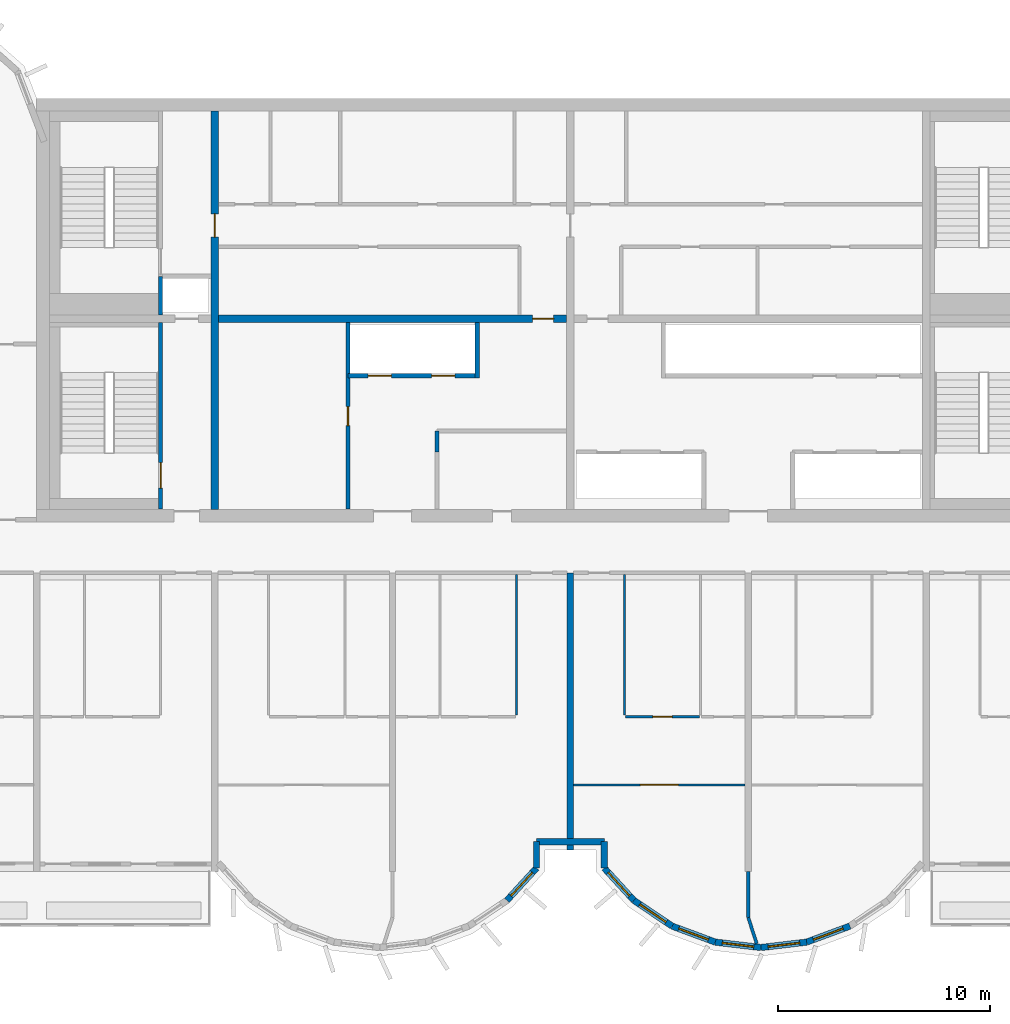
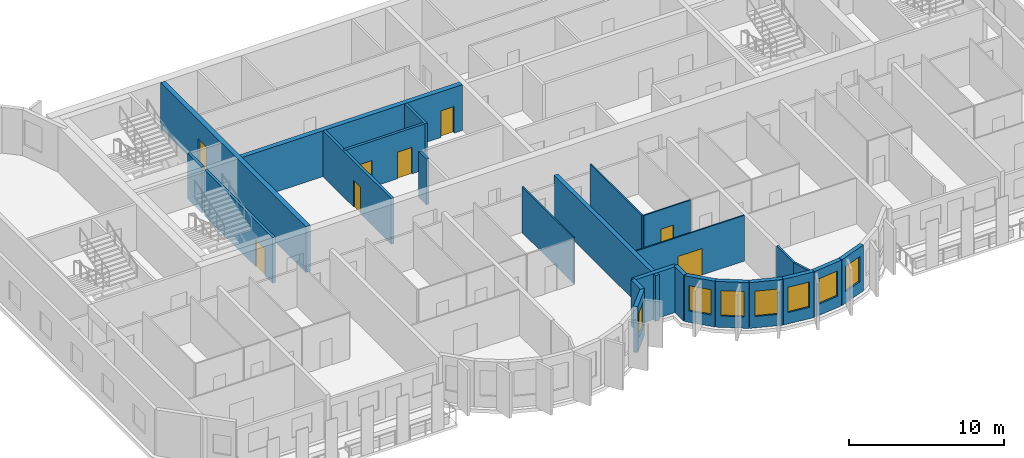
# One storey, part 4 of 12: 25 walls, 8 doors, 7 windows, 15 openings.
"""IFC4 building model written with IfcOpenShell, lengths in metres."""

from ifc_helpers import new_model, si_unit, direction, frame, frame_2d, origin, place, context, subcontext, project, spatial, rectangle, extrude, source, transform, mapped, material, layer, layer_set, type_object, element, fill, save


model = new_model("IFC4")

# Units and contexts
model_context = context("Model", 3, precision=1e-05, world=origin(), true_north=direction((0.0, 1.0)))
body_context = subcontext(model_context, "Body", "Model", "MODEL_VIEW")
ifc_project = project(units=[si_unit("LENGTHUNIT", "METRE"), si_unit("AREAUNIT", "SQUARE_METRE"), si_unit("VOLUMEUNIT", "CUBIC_METRE"), si_unit("PLANEANGLEUNIT", "RADIAN"), si_unit("MASSUNIT", "GRAM", prefix="KILO")], contexts=[model_context])

# Site, building, storey
site_placement = place(None, origin())
site = spatial("IfcSite", under=ifc_project, at=site_placement, CompositionType="ELEMENT")
building_placement = place(site_placement, origin())
building = spatial("IfcBuilding", under=site, at=building_placement, Name="Vanashikhar Sky Hotel", CompositionType="ELEMENT")
storey_placement = place(building_placement, frame((0.0, 0.0, 253.0)))
storey = spatial("IfcBuildingStorey", under=building, at=storey_placement, Name="L61", CompositionType="ELEMENT", Elevation=253.0)

# Wall, opening, door
ifc_material_1 = material(Name="Concrete M60", Category="concrete")
ifc_layer_1 = layer(ifc_material_1, 0.35009765625)
ifc_layer_set_1 = layer_set([ifc_layer_1], Name="RC core inner wall 350 Concrete M60")
wall_type_1 = type_object("IfcWallType", Name="RC core inner wall 350 Concrete M60", PredefinedType="SHEAR", material=ifc_layer_set_1)
shared_shape_1 = source(origin(), body_context, "Body", "SweptSolid", [
    extrude(rectangle(XDim=18.7998046875, YDim=0.35009765625, at=frame_2d((9.39990234375, 0.0))), origin(), (0.0, 0.0, 1.0), 3.6201171875),
])
wall_1_placement = place(storey_placement, frame((33.60009765625, 22.60009765625, 0.0), z_axis=(0.0, 0.0, 1.0), x_axis=(0.0, 1.0, 0.0)))
wall_1 = element("IfcWall", 1, at=wall_1_placement, inside=storey, type_object=wall_type_1, Name="KW-L61-KX1", PredefinedType="SHEAR", context=body_context, shape_type="MappedRepresentation", body=[
    mapped(shared_shape_1, transform((0.0, 0.0, 0.0), scale=1.0)),
])
shared_shape_2 = source(origin(), body_context, "Body", "SweptSolid", [
    extrude(rectangle(XDim=1.10009765625, YDim=2.10009765625, at=frame_2d((0.550048828125, 1.050048828125))), frame((0.0, 0.18505859375, 0.0), z_axis=(0.0, -1.0, 0.0), x_axis=(1.0, 0.0, 0.0)), (0.0, 0.0, 1.0), 0.3701171875),
])
opening_1_placement = place(wall_1_placement, frame((12.85009765625, 0.0, 0.0)))
opening_1 = element("IfcOpeningElement", 2, at=opening_1_placement, cuts=wall_1, Name="Opening DC-4-C", PredefinedType="OPENING", context=body_context, shape_type="MappedRepresentation", body=[
    mapped(shared_shape_2, transform((0.0, 0.0, 0.0), scale=1.0)),
])
ifc_material_2 = material(Name="Steel", Category="steel")
door_type_1 = type_object("IfcDoorType", Name="Service door 1100 FD60", OperationType="NOTDEFINED", PredefinedType="DOOR", material=ifc_material_2)
shared_shape_3 = source(origin(), body_context, "Body", "SweptSolid", [
    extrude(rectangle(XDim=1.10009765625, YDim=2.10009765625, at=frame_2d((0.550048828125, 1.050048828125))), frame((0.0, 0.02490234375, 0.0), z_axis=(0.0, -1.0, 0.0), x_axis=(1.0, 0.0, 0.0)), (0.0, 0.0, 1.0), 0.050048828125),
])
door_1_placement = place(opening_1_placement, origin())
door_1 = element("IfcDoor", 3, at=door_1_placement, inside=storey, type_object=door_type_1, Name="Service door 1100 FD60", OperationType="SINGLE_SWING_RIGHT", OverallHeight=2.10009765625, OverallWidth=1.10009765625, PredefinedType="DOOR", context=body_context, shape_type="MappedRepresentation", body=[
    mapped(shared_shape_3, transform((0.0, 0.0, 0.0), scale=1.0)),
])
fill(opening_1, door_1)

shared_shape_4 = source(origin(), body_context, "Body", "SweptSolid", [
    extrude(rectangle(XDim=16.4501953125, YDim=0.35009765625, at=frame_2d((8.22509765625, 0.0))), origin(), (0.0, 0.0, 1.0), 3.6201171875),
])
wall_2_placement = place(storey_placement, frame((33.77490234375, 31.60009765625, 0.0), z_axis=(0.0, 0.0, 1.0), x_axis=(1.0, 0.0, 0.0)))
wall_2 = element("IfcWall", 4, at=wall_2_placement, inside=storey, type_object=wall_type_1, Name="KW-L61-KY2", PredefinedType="SHEAR", context=body_context, shape_type="MappedRepresentation", body=[
    mapped(shared_shape_4, transform((0.0, 0.0, 0.0), scale=1.0)),
])
shared_shape_5 = source(origin(), body_context, "Body", "SweptSolid", [
    extrude(rectangle(XDim=1.0, YDim=2.10009765625, at=frame_2d((0.5, 1.050048828125))), frame((0.0, 0.18505859375, 0.0), z_axis=(0.0, -1.0, 0.0), x_axis=(1.0, 0.0, 0.0)), (0.0, 0.0, 1.0), 0.3701171875),
])
opening_2_placement = place(wall_2_placement, frame((14.8369140625, 0.0, 0.0)))
opening_2 = element("IfcOpeningElement", 5, at=opening_2_placement, cuts=wall_2, Name="Opening DC-4", PredefinedType="OPENING", context=body_context, shape_type="MappedRepresentation", body=[
    mapped(shared_shape_5, transform((0.0, 0.0, 0.0), scale=1.0)),
])
door_type_2 = type_object("IfcDoorType", Name="Service door 1000 FD60", OperationType="NOTDEFINED", PredefinedType="DOOR", material=ifc_material_2)
shared_shape_6 = source(origin(), body_context, "Body", "SweptSolid", [
    extrude(rectangle(XDim=1.0, YDim=2.10009765625, at=frame_2d((0.5, 1.050048828125))), frame((0.0, 0.02490234375, 0.0), z_axis=(0.0, -1.0, 0.0), x_axis=(1.0, 0.0, 0.0)), (0.0, 0.0, 1.0), 0.050048828125),
])
door_2_placement = place(opening_2_placement, origin())
door_2 = element("IfcDoor", 6, at=door_2_placement, inside=storey, type_object=door_type_2, Name="Service door 1000 FD60", OperationType="SINGLE_SWING_LEFT", OverallHeight=2.10009765625, OverallWidth=1.0, PredefinedType="DOOR", context=body_context, shape_type="MappedRepresentation", body=[
    mapped(shared_shape_6, transform((0.0, 0.0, 0.0), scale=1.0)),
])
fill(opening_2, door_2)

# Wall
ifc_layer_2 = layer(ifc_material_1, 0.300048828125)
ifc_layer_set_2 = layer_set([ifc_layer_2], Name="RC shear wall 300 Concrete M60")
wall_type_2 = type_object("IfcWallType", Name="RC shear wall 300 Concrete M60", PredefinedType="SHEAR", material=ifc_layer_set_2)
shared_shape_7 = source(origin(), body_context, "Body", "SweptSolid", [
    extrude(rectangle(XDim=13.10009765625, YDim=0.300048828125, at=frame_2d((6.550048828125, 0.0))), origin(), (0.0, 0.0, 1.0), 3.6201171875),
])
wall_3_placement = place(storey_placement, frame((50.39990234375, 6.5, 0.0), z_axis=(0.0, 0.0, 1.0), x_axis=(0.0, 1.0, 0.0)))
element("IfcWall", 7, at=wall_3_placement, inside=storey, type_object=wall_type_2, Name="CW-L61-XW07-1", PredefinedType="SHEAR", context=body_context, shape_type="MappedRepresentation", body=[
    mapped(shared_shape_7, transform((0.0, 0.0, 0.0), scale=1.0)),
])

# Wall, opening, window
ifc_material_3 = material(Name="Concrete M50", Category="concrete")
ifc_layer_3 = layer(ifc_material_3, 0.300048828125)
ifc_layer_set_3 = layer_set([ifc_layer_3], Name="Lobe wall 300")
wall_type_3 = type_object("IfcWallType", Name="Lobe wall 300", PredefinedType="SOLIDWALL", material=ifc_layer_set_3)
shared_shape_8 = source(origin(), body_context, "Body", "SweptSolid", [
    extrude(rectangle(XDim=2.17578125, YDim=0.300048828125, at=frame_2d((1.087890625, 0.0))), origin(), (0.0, 0.0, 1.0), 3.6201171875),
])
wall_4_placement = place(storey_placement, frame((53.395751953125, 4.13134765625, 0.0), z_axis=(0.0, 0.0, 1.0), x_axis=(0.829590746428, -0.558371913192, 0.0)))
wall_4 = element("IfcWall", 8, at=wall_4_placement, inside=storey, type_object=wall_type_3, Name="Lobe wall", PredefinedType="SOLIDWALL", context=body_context, shape_type="MappedRepresentation", body=[
    mapped(shared_shape_8, transform((0.0, 0.0, 0.0), scale=1.0)),
])
shared_shape_9 = source(origin(), body_context, "Body", "SweptSolid", [
    extrude(rectangle(XDim=1.5, YDim=2.0, at=frame_2d((0.75, 1.0))), frame((0.0, 0.16015625, 0.0), z_axis=(0.0, -1.0, 0.0), x_axis=(1.0, 0.0, 0.0)), (0.0, 0.0, 1.0), 0.320068359375),
])
opening_3_placement = place(wall_4_placement, frame((0.337890625, 0.0, 0.89990234375)))
opening_3 = element("IfcOpeningElement", 9, at=opening_3_placement, cuts=wall_4, Name="Opening WN-2", PredefinedType="OPENING", context=body_context, shape_type="MappedRepresentation", body=[
    mapped(shared_shape_9, transform((0.0, 0.0, 0.0), scale=1.0)),
])
ifc_material_4 = material(Name="Glass", Category="glass")
window_type = type_object("IfcWindowType", Name="Lobe window 1500 x 2000", PartitioningType="SINGLE_PANEL", PredefinedType="WINDOW", material=ifc_material_4)
shared_shape_10 = source(origin(), body_context, "Body", "SweptSolid", [
    extrude(rectangle(XDim=1.5, YDim=2.0, at=frame_2d((0.75, 1.0))), frame((0.0, 0.030029296875, 0.0), z_axis=(0.0, -1.0, 0.0), x_axis=(1.0, 0.0, 0.0)), (0.0, 0.0, 1.0), 0.06005859375),
])
window_1_placement = place(opening_3_placement, origin())
window_1 = element("IfcWindow", 10, at=window_1_placement, inside=storey, type_object=window_type, Name="Window WN-2", OverallHeight=2.0, OverallWidth=1.5, PartitioningType="SINGLE_PANEL", PredefinedType="WINDOW", context=body_context, shape_type="MappedRepresentation", body=[
    mapped(shared_shape_10, transform((0.0, 0.0, 0.0), scale=1.0)),
])
fill(opening_3, window_1)

wall_5_placement = place(storey_placement, frame((55.20068359375, 2.91650390625, 0.0), z_axis=(0.0, 0.0, 1.0), x_axis=(0.93754555999, -0.347862505801, 0.0)))
wall_5 = element("IfcWall", 11, at=wall_5_placement, inside=storey, type_object=wall_type_3, Name="Lobe wall", PredefinedType="SOLIDWALL", context=body_context, shape_type="MappedRepresentation", body=[
    mapped(shared_shape_8, transform((0.0, 0.0, 0.0), scale=1.0)),
])
opening_4_placement = place(wall_5_placement, frame((0.337890625, 0.0, 0.89990234375)))
opening_4 = element("IfcOpeningElement", 12, at=opening_4_placement, cuts=wall_5, Name="Opening WN-2", PredefinedType="OPENING", context=body_context, shape_type="MappedRepresentation", body=[
    mapped(shared_shape_9, transform((0.0, 0.0, 0.0), scale=1.0)),
])
window_2_placement = place(opening_4_placement, origin())
window_2 = element("IfcWindow", 13, at=window_2_placement, inside=storey, type_object=window_type, Name="Window WN-2", OverallHeight=2.0, OverallWidth=1.5, PartitioningType="SINGLE_PANEL", PredefinedType="WINDOW", context=body_context, shape_type="MappedRepresentation", body=[
    mapped(shared_shape_10, transform((0.0, 0.0, 0.0), scale=1.0)),
])
fill(opening_4, window_2)

shared_shape_11 = source(origin(), body_context, "Body", "SweptSolid", [
    extrude(rectangle(XDim=2.174560546875, YDim=0.300048828125, at=frame_2d((1.08740234375, 0.0))), origin(), (0.0, 0.0, 1.0), 3.6201171875),
])
wall_6_placement = place(storey_placement, frame((57.240478515625, 2.15966796875, 0.0), z_axis=(0.0, 0.0, 1.0), x_axis=(0.993001132889, -0.118104826659, 0.0)))
wall_6 = element("IfcWall", 14, at=wall_6_placement, inside=storey, type_object=wall_type_3, Name="Lobe wall", PredefinedType="SOLIDWALL", context=body_context, shape_type="MappedRepresentation", body=[
    mapped(shared_shape_11, transform((0.0, 0.0, 0.0), scale=1.0)),
])
opening_5_placement = place(wall_6_placement, frame((0.33740234375, 0.0, 0.89990234375)))
opening_5 = element("IfcOpeningElement", 15, at=opening_5_placement, cuts=wall_6, Name="Opening WN-2", PredefinedType="OPENING", context=body_context, shape_type="MappedRepresentation", body=[
    mapped(shared_shape_9, transform((0.0, 0.0, 0.0), scale=1.0)),
])
window_3_placement = place(opening_5_placement, origin())
window_3 = element("IfcWindow", 16, at=window_3_placement, inside=storey, type_object=window_type, Name="Window WN-2", OverallHeight=2.0, OverallWidth=1.5, PartitioningType="SINGLE_PANEL", PredefinedType="WINDOW", context=body_context, shape_type="MappedRepresentation", body=[
    mapped(shared_shape_10, transform((0.0, 0.0, 0.0), scale=1.0)),
])
fill(opening_5, window_3)

shared_shape_12 = source(origin(), body_context, "Body", "SweptSolid", [
    extrude(rectangle(XDim=2.1748046875, YDim=0.300048828125, at=frame_2d((1.08740234375, 0.0))), origin(), (0.0, 0.0, 1.0), 3.6201171875),
])
wall_7_placement = place(storey_placement, frame((59.39990234375, 1.90283203125, 0.0), z_axis=(0.0, 0.0, 1.0), x_axis=(0.993002698611, 0.118091661648, 0.0)))
wall_7 = element("IfcWall", 17, at=wall_7_placement, inside=storey, type_object=wall_type_3, Name="Lobe wall", PredefinedType="SOLIDWALL", context=body_context, shape_type="MappedRepresentation", body=[
    mapped(shared_shape_12, transform((0.0, 0.0, 0.0), scale=1.0)),
])
opening_6_placement = place(wall_7_placement, frame((0.33740234375, 0.0, 0.89990234375)))
opening_6 = element("IfcOpeningElement", 18, at=opening_6_placement, cuts=wall_7, Name="Opening WN-2", PredefinedType="OPENING", context=body_context, shape_type="MappedRepresentation", body=[
    mapped(shared_shape_9, transform((0.0, 0.0, 0.0), scale=1.0)),
])
window_4_placement = place(opening_6_placement, origin())
window_4 = element("IfcWindow", 19, at=window_4_placement, inside=storey, type_object=window_type, Name="Window WN-2", OverallHeight=2.0, OverallWidth=1.5, PartitioningType="SINGLE_PANEL", PredefinedType="WINDOW", context=body_context, shape_type="MappedRepresentation", body=[
    mapped(shared_shape_10, transform((0.0, 0.0, 0.0), scale=1.0)),
])
fill(opening_6, window_4)

shared_shape_13 = source(origin(), body_context, "Body", "SweptSolid", [
    extrude(rectangle(XDim=2.175537109375, YDim=0.300048828125, at=frame_2d((1.087890625, 0.0))), origin(), (0.0, 0.0, 1.0), 3.6201171875),
])
wall_8_placement = place(storey_placement, frame((61.5595703125, 2.15966796875, 0.0), z_axis=(0.0, 0.0, 1.0), x_axis=(0.937531979054, 0.347899106424, 0.0)))
wall_8 = element("IfcWall", 20, at=wall_8_placement, inside=storey, type_object=wall_type_3, Name="Lobe wall", PredefinedType="SOLIDWALL", context=body_context, shape_type="MappedRepresentation", body=[
    mapped(shared_shape_13, transform((0.0, 0.0, 0.0), scale=1.0)),
])
opening_7_placement = place(wall_8_placement, frame((0.337890625, 0.0, 0.89990234375)))
opening_7 = element("IfcOpeningElement", 21, at=opening_7_placement, cuts=wall_8, Name="Opening WN-2", PredefinedType="OPENING", context=body_context, shape_type="MappedRepresentation", body=[
    mapped(shared_shape_9, transform((0.0, 0.0, 0.0), scale=1.0)),
])
window_5_placement = place(opening_7_placement, origin())
window_5 = element("IfcWindow", 22, at=window_5_placement, inside=storey, type_object=window_type, Name="Window WN-2", OverallHeight=2.0, OverallWidth=1.5, PartitioningType="SINGLE_PANEL", PredefinedType="WINDOW", context=body_context, shape_type="MappedRepresentation", body=[
    mapped(shared_shape_10, transform((0.0, 0.0, 0.0), scale=1.0)),
])
fill(opening_7, window_5)

shared_shape_14 = source(origin(), body_context, "Body", "SweptSolid", [
    extrude(rectangle(XDim=2.066650390625, YDim=0.300048828125, at=frame_2d((1.033203125, 0.0))), origin(), (0.0, 0.0, 1.0), 3.6201171875),
])
wall_9_placement = place(storey_placement, frame((47.404296875, 4.13134765625, 0.0), z_axis=(0.0, 0.0, 1.0), x_axis=(0.675355439877, 0.737492393065, 0.0)))
wall_9 = element("IfcWall", 23, at=wall_9_placement, inside=storey, type_object=wall_type_3, Name="Lobe wall", PredefinedType="SOLIDWALL", context=body_context, shape_type="MappedRepresentation", body=[
    mapped(shared_shape_14, transform((0.0, 0.0, 0.0), scale=1.0)),
])
opening_8_placement = place(wall_9_placement, frame((0.283447265625, 0.0, 0.89990234375)))
opening_8 = element("IfcOpeningElement", 24, at=opening_8_placement, cuts=wall_9, Name="Opening WN-2", PredefinedType="OPENING", context=body_context, shape_type="MappedRepresentation", body=[
    mapped(shared_shape_9, transform((0.0, 0.0, 0.0), scale=1.0)),
])
window_6_placement = place(opening_8_placement, origin())
window_6 = element("IfcWindow", 25, at=window_6_placement, inside=storey, type_object=window_type, Name="Window WN-2", OverallHeight=2.0, OverallWidth=1.5, PartitioningType="SINGLE_PANEL", PredefinedType="WINDOW", context=body_context, shape_type="MappedRepresentation", body=[
    mapped(shared_shape_10, transform((0.0, 0.0, 0.0), scale=1.0)),
])
fill(opening_8, window_6)

wall_10_placement = place(storey_placement, frame((52.0, 5.655517578125, 0.0), z_axis=(0.0, 0.0, 1.0), x_axis=(0.675355439877, -0.737492393065, 0.0)))
wall_10 = element("IfcWall", 26, at=wall_10_placement, inside=storey, type_object=wall_type_3, Name="Lobe wall", PredefinedType="SOLIDWALL", context=body_context, shape_type="MappedRepresentation", body=[
    mapped(shared_shape_14, transform((0.0, 0.0, 0.0), scale=1.0)),
])
opening_9_placement = place(wall_10_placement, frame((0.283447265625, 0.0, 0.89990234375)))
opening_9 = element("IfcOpeningElement", 27, at=opening_9_placement, cuts=wall_10, Name="Opening WN-2", PredefinedType="OPENING", context=body_context, shape_type="MappedRepresentation", body=[
    mapped(shared_shape_9, transform((0.0, 0.0, 0.0), scale=1.0)),
])
window_7_placement = place(opening_9_placement, origin())
window_7 = element("IfcWindow", 28, at=window_7_placement, inside=storey, type_object=window_type, Name="Window WN-2", OverallHeight=2.0, OverallWidth=1.5, PartitioningType="SINGLE_PANEL", PredefinedType="WINDOW", context=body_context, shape_type="MappedRepresentation", body=[
    mapped(shared_shape_10, transform((0.0, 0.0, 0.0), scale=1.0)),
])
fill(opening_9, window_7)

# Walls
shared_shape_15 = source(origin(), body_context, "Body", "SweptSolid", [
    extrude(rectangle(XDim=1.244384765625, YDim=0.300048828125, at=frame_2d((0.6220703125, 0.0))), origin(), (0.0, 0.0, 1.0), 3.6201171875),
])
for number, where, z_axis, x_axis, name in (
    (29, (48.800048828125, 5.655517578125, 0.0), (0.0, 0.0, 1.0), (0.0, 1.0, 0.0), "Groove wall"),
    (30, (52.0, 6.89990234375, 0.0), (0.0, 0.0, 1.0), (0.0, -1.0, 0.0), "Groove wall"),
):
    element("IfcWall", number, at=place(storey_placement, frame(where, z_axis=z_axis, x_axis=x_axis)), inside=storey, type_object=wall_type_3, Name=name, PredefinedType="SOLIDWALL", context=body_context, shape_type="MappedRepresentation", body=[
        mapped(shared_shape_15, transform((0.0, 0.0, 0.0), scale=1.0)),
    ])
shared_shape_16 = source(origin(), body_context, "Body", "SweptSolid", [
    extrude(rectangle(XDim=3.199951171875, YDim=0.300048828125, at=frame_2d((1.60009765625, 0.0))), origin(), (0.0, 0.0, 1.0), 3.6201171875),
])
wall_11_placement = place(storey_placement, frame((48.800048828125, 6.89990234375, 0.0), z_axis=(0.0, 0.0, 1.0), x_axis=(1.0, 0.0, 0.0)))
element("IfcWall", 31, at=wall_11_placement, inside=storey, type_object=wall_type_3, Name="Groove wall", PredefinedType="SOLIDWALL", context=body_context, shape_type="MappedRepresentation", body=[
    mapped(shared_shape_16, transform((0.0, 0.0, 0.0), scale=1.0)),
])

# Wall, openings, doors
ifc_material_5 = material(Name="Concrete M40", Category="concrete")
ifc_layer_4 = layer(ifc_material_5, 0.199951171875)
ifc_layer_set_4 = layer_set([ifc_layer_4], Name="Shaft wall 200")
wall_type_4 = type_object("IfcWallType", Name="Shaft wall 200", PredefinedType="SOLIDWALL", material=ifc_layer_set_4)
shared_shape_17 = source(origin(), body_context, "Body", "SweptSolid", [
    extrude(rectangle(XDim=6.0, YDim=0.199951171875, at=frame_2d((3.0, 0.0))), origin(), (0.0, 0.0, 1.0), 3.6201171875),
])
wall_12_placement = place(storey_placement, frame((39.89990234375, 28.89990234375, 0.0), z_axis=(0.0, 0.0, 1.0), x_axis=(1.0, 0.0, 0.0)))
wall_12 = element("IfcWall", 32, at=wall_12_placement, inside=storey, type_object=wall_type_4, Name="Shaft wall 200", PredefinedType="SOLIDWALL", context=body_context, shape_type="MappedRepresentation", body=[
    mapped(shared_shape_17, transform((0.0, 0.0, 0.0), scale=1.0)),
])
shared_shape_18 = source(origin(), body_context, "Body", "SweptSolid", [
    extrude(rectangle(XDim=1.10009765625, YDim=2.10009765625, at=frame_2d((0.550048828125, 1.050048828125))), frame((0.0, 0.10986328125, 0.0), z_axis=(0.0, -1.0, 0.0), x_axis=(1.0, 0.0, 0.0)), (0.0, 0.0, 1.0), 0.219970703125),
])
opening_10_placement = place(wall_12_placement, frame((0.949951171875, 0.0, 0.0)))
opening_10 = element("IfcOpeningElement", 33, at=opening_10_placement, cuts=wall_12, Name="Opening LD", PredefinedType="OPENING", context=body_context, shape_type="MappedRepresentation", body=[
    mapped(shared_shape_18, transform((0.0, 0.0, 0.0), scale=1.0)),
])
opening_11_placement = place(wall_12_placement, frame((3.949951171875, 0.0, 0.0)))
opening_11 = element("IfcOpeningElement", 34, at=opening_11_placement, cuts=wall_12, Name="Opening LD", PredefinedType="OPENING", context=body_context, shape_type="MappedRepresentation", body=[
    mapped(shared_shape_18, transform((0.0, 0.0, 0.0), scale=1.0)),
])
ifc_material_6 = material(Name="Stainless steel", Category="steel")
door_type_3 = type_object("IfcDoorType", Name="Lift landing door 1100", OperationType="NOTDEFINED", PredefinedType="DOOR", material=ifc_material_6)
door_3_placement = place(opening_10_placement, origin())
door_3 = element("IfcDoor", 35, at=door_3_placement, inside=storey, type_object=door_type_3, Name="Lift landing door 1100", OperationType="SLIDING_TO_LEFT", OverallHeight=2.10009765625, OverallWidth=1.10009765625, PredefinedType="DOOR", context=body_context, shape_type="MappedRepresentation", body=[
    mapped(shared_shape_3, transform((0.0, 0.0, 0.0), scale=1.0)),
])
fill(opening_10, door_3)
door_4_placement = place(opening_11_placement, origin())
door_4 = element("IfcDoor", 36, at=door_4_placement, inside=storey, type_object=door_type_3, Name="Lift landing door 1100", OperationType="SLIDING_TO_RIGHT", OverallHeight=2.10009765625, OverallWidth=1.10009765625, PredefinedType="DOOR", context=body_context, shape_type="MappedRepresentation", body=[
    mapped(shared_shape_3, transform((0.0, 0.0, 0.0), scale=1.0)),
])
fill(opening_11, door_4)

# Wall, opening, door
ifc_material_7 = material(Name="Gypsum board partition")
ifc_layer_5 = layer(ifc_material_7, 0.14990234375)
ifc_layer_set_5 = layer_set([ifc_layer_5], Name="Service partition 150")
wall_type_5 = type_object("IfcWallType", Name="Service partition 150", PredefinedType="PARTITIONING", material=ifc_layer_set_5)
shared_shape_19 = source(origin(), body_context, "Body", "SweptSolid", [
    extrude(rectangle(XDim=8.824951171875, YDim=0.199951171875, at=frame_2d((4.41259765625, 0.0))), origin(), (0.0, 0.0, 1.0), 3.6201171875),
])
wall_13_placement = place(storey_placement, frame((39.89990234375, 22.60009765625, 0.0), z_axis=(0.0, 0.0, 1.0), x_axis=(0.0, 1.0, 0.0)))
wall_13 = element("IfcWall", 37, at=wall_13_placement, inside=storey, type_object=wall_type_5, Name="Service partition 150", PredefinedType="PARTITIONING", context=body_context, shape_type="MappedRepresentation", body=[
    mapped(shared_shape_19, transform((0.0, 0.0, 0.0), scale=1.0)),
])
shared_shape_20 = source(origin(), body_context, "Body", "SweptSolid", [
    extrude(rectangle(XDim=0.89990234375, YDim=2.10009765625, at=frame_2d((0.449951171875, 1.050048828125))), frame((0.0, 0.10986328125, 0.0), z_axis=(0.0, -1.0, 0.0), x_axis=(1.0, 0.0, 0.0)), (0.0, 0.0, 1.0), 0.219970703125),
])
opening_12_placement = place(wall_13_placement, frame((3.949951171875, 0.0, 0.0)))
opening_12 = element("IfcOpeningElement", 38, at=opening_12_placement, cuts=wall_13, Name="Opening DC-4-A", PredefinedType="OPENING", context=body_context, shape_type="MappedRepresentation", body=[
    mapped(shared_shape_20, transform((0.0, 0.0, 0.0), scale=1.0)),
])
door_type_4 = type_object("IfcDoorType", Name="Service door 900 FD60", OperationType="NOTDEFINED", PredefinedType="DOOR", material=ifc_material_2)
shared_shape_21 = source(origin(), body_context, "Body", "SweptSolid", [
    extrude(rectangle(XDim=0.89990234375, YDim=2.10009765625, at=frame_2d((0.449951171875, 1.050048828125))), frame((0.0, 0.02490234375, 0.0), z_axis=(0.0, -1.0, 0.0), x_axis=(1.0, 0.0, 0.0)), (0.0, 0.0, 1.0), 0.050048828125),
])
door_5_placement = place(opening_12_placement, origin())
door_5 = element("IfcDoor", 39, at=door_5_placement, inside=storey, type_object=door_type_4, Name="Service door 900 FD60", OperationType="SINGLE_SWING_RIGHT", OverallHeight=2.10009765625, OverallWidth=0.89990234375, PredefinedType="DOOR", context=body_context, shape_type="MappedRepresentation", body=[
    mapped(shared_shape_21, transform((0.0, 0.0, 0.0), scale=1.0)),
])
fill(opening_12, door_5)

# Walls
shared_shape_22 = source(origin(), body_context, "Body", "SweptSolid", [
    extrude(rectangle(XDim=2.625, YDim=0.199951171875, at=frame_2d((1.3125, 0.0))), origin(), (0.0, 0.0, 1.0), 3.6201171875),
])
wall_14_placement = place(storey_placement, frame((46.0, 28.800048828125, 0.0), z_axis=(0.0, 0.0, 1.0), x_axis=(0.0, 1.0, 0.0)))
element("IfcWall", 40, at=wall_14_placement, inside=storey, type_object=wall_type_4, Name="Shaft wall 200", PredefinedType="SOLIDWALL", context=body_context, shape_type="MappedRepresentation", body=[
    mapped(shared_shape_22, transform((0.0, 0.0, 0.0), scale=1.0)),
])
shared_shape_23 = source(origin(), body_context, "Body", "SweptSolid", [
    extrude(rectangle(XDim=1.0, YDim=0.199951171875, at=frame_2d((0.5, 0.0))), origin(), (0.0, 0.0, 1.0), 3.6201171875),
])
wall_15_placement = place(storey_placement, frame((44.10009765625, 25.300048828125, 0.0), z_axis=(0.0, 0.0, 1.0), x_axis=(0.0, 1.0, 0.0)))
element("IfcWall", 41, at=wall_15_placement, inside=storey, type_object=wall_type_5, Name="Service partition 150", PredefinedType="PARTITIONING", context=body_context, shape_type="MappedRepresentation", body=[
    mapped(shared_shape_23, transform((0.0, 0.0, 0.0), scale=1.0)),
])

# Wall, opening, door
ifc_layer_6 = layer(ifc_material_3, 0.199951171875)
ifc_layer_set_6 = layer_set([ifc_layer_6], Name="Stair wall 200")
wall_type_6 = type_object("IfcWallType", Name="Stair wall 200", PredefinedType="SOLIDWALL", material=ifc_layer_set_6)
shared_shape_24 = source(origin(), body_context, "Body", "SweptSolid", [
    extrude(rectangle(XDim=8.824951171875, YDim=0.199951171875, at=frame_2d((4.41259765625, 0.0))), origin(), (0.0, 0.0, 1.0), 3.6201171875),
])
wall_16_placement = place(storey_placement, frame((31.050048828125, 22.60009765625, 0.0), z_axis=(0.0, 0.0, 1.0), x_axis=(0.0, 1.0, 0.0)))
wall_16 = element("IfcWall", 42, at=wall_16_placement, inside=storey, type_object=wall_type_6, Name="Stair wall 200", PredefinedType="SOLIDWALL", context=body_context, shape_type="MappedRepresentation", body=[
    mapped(shared_shape_24, transform((0.0, 0.0, 0.0), scale=1.0)),
])
shared_shape_25 = source(origin(), body_context, "Body", "SweptSolid", [
    extrude(rectangle(XDim=1.199951171875, YDim=2.10009765625, at=frame_2d((0.60009765625, 1.050048828125))), frame((0.0, 0.10986328125, 0.0), z_axis=(0.0, -1.0, 0.0), x_axis=(1.0, 0.0, 0.0)), (0.0, 0.0, 1.0), 0.219970703125),
])
opening_13_placement = place(wall_16_placement, frame((1.0, 0.0, 0.0)))
opening_13 = element("IfcOpeningElement", 43, at=opening_13_placement, cuts=wall_16, Name="Opening DC-1", PredefinedType="OPENING", context=body_context, shape_type="MappedRepresentation", body=[
    mapped(shared_shape_25, transform((0.0, 0.0, 0.0), scale=1.0)),
])
door_type_5 = type_object("IfcDoorType", Name="Stair door 1200 FD120", OperationType="NOTDEFINED", PredefinedType="DOOR", material=ifc_material_2)
shared_shape_26 = source(origin(), body_context, "Body", "SweptSolid", [
    extrude(rectangle(XDim=1.199951171875, YDim=2.10009765625, at=frame_2d((0.60009765625, 1.050048828125))), frame((0.0, 0.02490234375, 0.0), z_axis=(0.0, -1.0, 0.0), x_axis=(1.0, 0.0, 0.0)), (0.0, 0.0, 1.0), 0.050048828125),
])
door_6_placement = place(opening_13_placement, origin())
door_6 = element("IfcDoor", 44, at=door_6_placement, inside=storey, type_object=door_type_5, Name="Stair door 1200 FD120", OperationType="SINGLE_SWING_RIGHT", OverallHeight=2.10009765625, OverallWidth=1.199951171875, PredefinedType="DOOR", context=body_context, shape_type="MappedRepresentation", body=[
    mapped(shared_shape_26, transform((0.0, 0.0, 0.0), scale=1.0)),
])
fill(opening_13, door_6)

# Wall
shared_shape_27 = source(origin(), body_context, "Body", "SweptSolid", [
    extrude(rectangle(XDim=1.8251953125, YDim=0.199951171875, at=frame_2d((0.91259765625, 0.0))), origin(), (0.0, 0.0, 1.0), 3.6201171875),
])
wall_17_placement = place(storey_placement, frame((31.050048828125, 31.77490234375, 0.0), z_axis=(0.0, 0.0, 1.0), x_axis=(0.0, 1.0, 0.0)))
element("IfcWall", 45, at=wall_17_placement, inside=storey, type_object=wall_type_4, Name="Shaft wall 200", PredefinedType="SOLIDWALL", context=body_context, shape_type="MappedRepresentation", body=[
    mapped(shared_shape_27, transform((0.0, 0.0, 0.0), scale=1.0)),
])

# Wall, opening, door
ifc_material_8 = material(Name="Gypsum plasterboard partition")
ifc_layer_7 = layer(ifc_material_8, 0.10009765625)
ifc_layer_set_7 = layer_set([ifc_layer_7], Name="Wet room partition 100")
wall_type_7 = type_object("IfcWallType", Name="Wet room partition 100", PredefinedType="PARTITIONING", material=ifc_layer_set_7)
shared_shape_28 = source(origin(), body_context, "Body", "SweptSolid", [
    extrude(rectangle(XDim=3.5, YDim=0.10009765625, at=frame_2d((1.75, 0.0))), origin(), (0.0, 0.0, 1.0), 3.6201171875),
])
wall_18_placement = place(storey_placement, frame((53.0, 12.800048828125, 0.0), z_axis=(0.0, 0.0, 1.0), x_axis=(1.0, 0.0, 0.0)))
wall_18 = element("IfcWall", 46, at=wall_18_placement, inside=storey, type_object=wall_type_7, Name="W-L61-PW025", PredefinedType="PARTITIONING", context=body_context, shape_type="MappedRepresentation", body=[
    mapped(shared_shape_28, transform((0.0, 0.0, 0.0), scale=1.0)),
])
shared_shape_29 = source(origin(), body_context, "Body", "SweptSolid", [
    extrude(rectangle(XDim=0.89990234375, YDim=2.10009765625, at=frame_2d((0.449951171875, 1.050048828125))), frame((0.0, 0.06005859375, 0.0), z_axis=(0.0, -1.0, 0.0), x_axis=(1.0, 0.0, 0.0)), (0.0, 0.0, 1.0), 0.1201171875),
])
opening_14_placement = place(wall_18_placement, frame((1.300048828125, 0.0, 0.0)))
opening_14 = element("IfcOpeningElement", 47, at=opening_14_placement, cuts=wall_18, Name="Opening D-02", PredefinedType="OPENING", context=body_context, shape_type="MappedRepresentation", body=[
    mapped(shared_shape_29, transform((0.0, 0.0, 0.0), scale=1.0)),
])
ifc_material_9 = material(Name="Timber door", Category="wood")
door_type_6 = type_object("IfcDoorType", Name="Internal door 900", OperationType="NOTDEFINED", PredefinedType="DOOR", material=ifc_material_9)
door_7_placement = place(opening_14_placement, origin())
door_7 = element("IfcDoor", 48, at=door_7_placement, inside=storey, type_object=door_type_6, Name="D-L61-015", OperationType="SINGLE_SWING_LEFT", OverallHeight=2.10009765625, OverallWidth=0.89990234375, PredefinedType="DOOR", context=body_context, shape_type="MappedRepresentation", body=[
    mapped(shared_shape_21, transform((0.0, 0.0, 0.0), scale=1.0)),
])
fill(opening_14, door_7)

# Walls
ifc_layer_8 = layer(ifc_material_8, 0.14990234375)
ifc_layer_set_8 = layer_set([ifc_layer_8], Name="Corridor and demising partition 150")
wall_type_8 = type_object("IfcWallType", Name="Corridor and demising partition 150", PredefinedType="PARTITIONING", material=ifc_layer_set_8)
shared_shape_30 = source(origin(), body_context, "Body", "SweptSolid", [
    extrude(rectangle(XDim=2.177978515625, YDim=0.14990234375, at=frame_2d((1.0888671875, 0.0))), origin(), (0.0, 0.0, 1.0), 3.6201171875),
])
wall_19_placement = place(storey_placement, frame((58.800048828125, 3.322021484375, 0.0), z_axis=(0.0, 0.0, 1.0), x_axis=(0.0, 1.0, 0.0)))
element("IfcWall", 49, at=wall_19_placement, inside=storey, type_object=wall_type_8, Name="W-L61-PW049", PredefinedType="PARTITIONING", context=body_context, shape_type="MappedRepresentation", body=[
    mapped(shared_shape_30, transform((0.0, 0.0, 0.0), scale=1.0)),
])
shared_shape_31 = source(origin(), body_context, "Body", "SweptSolid", [
    extrude(rectangle(XDim=1.308349609375, YDim=0.14990234375, at=frame_2d((0.654296875, 0.0))), origin(), (0.0, 0.0, 1.0), 3.6201171875),
])
wall_20_placement = place(storey_placement, frame((59.201904296875, 2.076904296875, 0.0), z_axis=(0.0, 0.0, 1.0), x_axis=(-0.307144529633, 0.951662880392, 0.0)))
element("IfcWall", 50, at=wall_20_placement, inside=storey, type_object=wall_type_8, Name="W-L61-PW049B0", PredefinedType="PARTITIONING", context=body_context, shape_type="MappedRepresentation", body=[
    mapped(shared_shape_31, transform((0.0, 0.0, 0.0), scale=1.0)),
])
shared_shape_32 = source(origin(), body_context, "Body", "SweptSolid", [
    extrude(rectangle(XDim=6.64990234375, YDim=0.10009765625, at=frame_2d((3.324951171875, 0.0))), origin(), (0.0, 0.0, 1.0), 3.6201171875),
])
for number, where, z_axis, x_axis, name in (
    (51, (47.85009765625, 12.875, 0.0), (0.0, 0.0, 1.0), (0.0, 1.0, 0.0), "W-L61-PW018"),
    (52, (52.949951171875, 12.875, 0.0), (0.0, 0.0, 1.0), (0.0, 1.0, 0.0), "W-L61-PW023"),
):
    element("IfcWall", number, at=place(storey_placement, frame(where, z_axis=z_axis, x_axis=x_axis)), inside=storey, type_object=wall_type_7, Name=name, PredefinedType="PARTITIONING", context=body_context, shape_type="MappedRepresentation", body=[
        mapped(shared_shape_32, transform((0.0, 0.0, 0.0), scale=1.0)),
    ])

# Wall, opening, door
shared_shape_33 = source(origin(), body_context, "Body", "SweptSolid", [
    extrude(rectangle(XDim=8.099853515625, YDim=0.10009765625, at=frame_2d((4.0498046875, 0.0))), origin(), (0.0, 0.0, 1.0), 3.6201171875),
])
wall_21_placement = place(storey_placement, frame((50.550048828125, 9.58203125, 0.0), z_axis=(0.0, 0.0, 1.0), x_axis=(1.0, 0.0, 0.0)))
wall_21 = element("IfcWall", 53, at=wall_21_placement, inside=storey, type_object=wall_type_7, Name="W-L61-PW027", PredefinedType="PARTITIONING", context=body_context, shape_type="MappedRepresentation", body=[
    mapped(shared_shape_33, transform((0.0, 0.0, 0.0), scale=1.0)),
])
shared_shape_34 = source(origin(), body_context, "Body", "SweptSolid", [
    extrude(rectangle(XDim=1.800048828125, YDim=2.10009765625, at=frame_2d((0.89990234375, 1.050048828125))), frame((0.0, 0.06005859375, 0.0), z_axis=(0.0, -1.0, 0.0), x_axis=(1.0, 0.0, 0.0)), (0.0, 0.0, 1.0), 0.1201171875),
])
opening_15_placement = place(wall_21_placement, frame((3.14990234375, 0.0, 0.0)))
opening_15 = element("IfcOpeningElement", 54, at=opening_15_placement, cuts=wall_21, Name="Opening D-08", PredefinedType="OPENING", context=body_context, shape_type="MappedRepresentation", body=[
    mapped(shared_shape_34, transform((0.0, 0.0, 0.0), scale=1.0)),
])
door_type_7 = type_object("IfcDoorType", Name="Double leaf door 1800", OperationType="NOTDEFINED", PredefinedType="DOOR", material=ifc_material_9)
shared_shape_35 = source(origin(), body_context, "Body", "SweptSolid", [
    extrude(rectangle(XDim=1.800048828125, YDim=2.10009765625, at=frame_2d((0.89990234375, 1.050048828125))), frame((0.0, 0.02490234375, 0.0), z_axis=(0.0, -1.0, 0.0), x_axis=(1.0, 0.0, 0.0)), (0.0, 0.0, 1.0), 0.050048828125),
])
door_8_placement = place(opening_15_placement, origin())
door_8 = element("IfcDoor", 55, at=door_8_placement, inside=storey, type_object=door_type_7, Name="D-L61-017", OperationType="DOUBLE_DOOR_SINGLE_SWING", OverallHeight=2.10009765625, OverallWidth=1.800048828125, PredefinedType="DOOR", context=body_context, shape_type="MappedRepresentation", body=[
    mapped(shared_shape_35, transform((0.0, 0.0, 0.0), scale=1.0)),
])
fill(opening_15, door_8)

save(model, "model.ifc")
